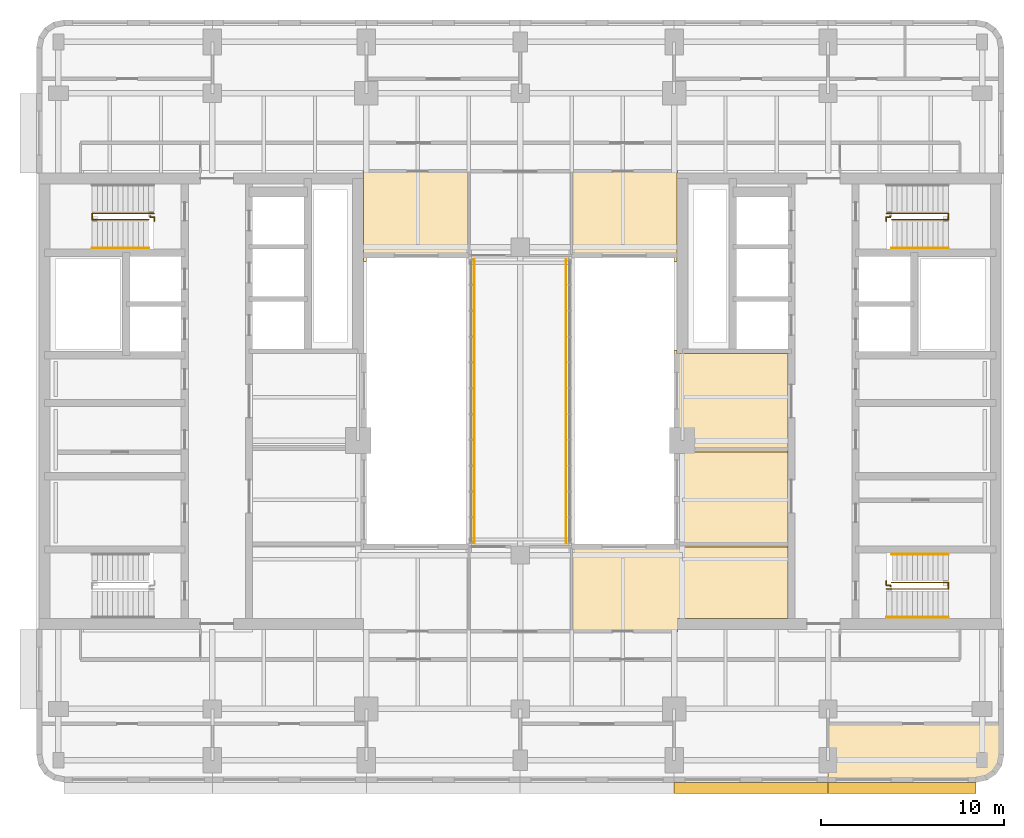
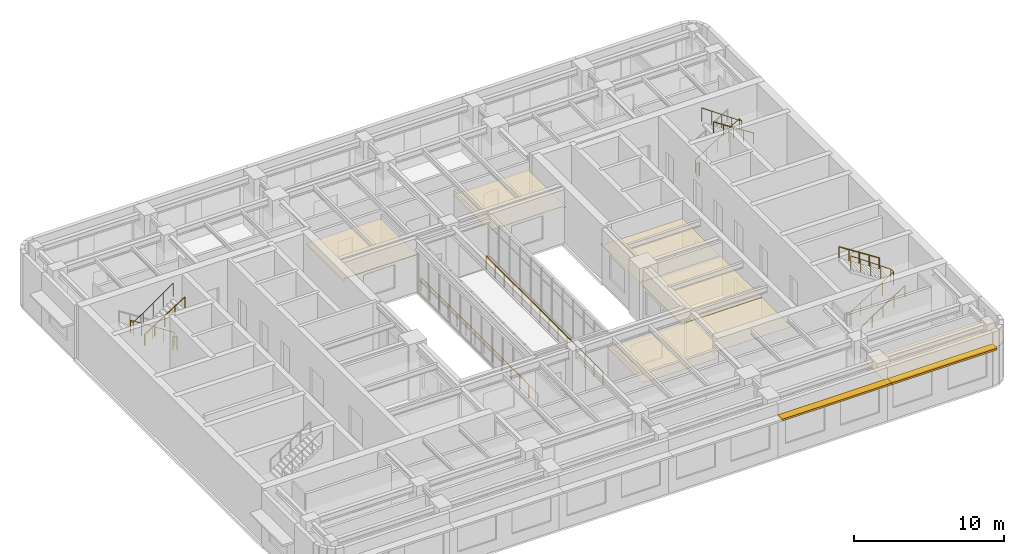
# One storey, part 13 of 14: 12 railings, 6 coverings, 2 shading devices.
"""IFC4 building model written with IfcOpenShell, lengths in metres."""

from ifc_helpers import new_model, si_unit, direction, frame, origin, origin_2d, place, context, subcontext, project, spatial, polyline, rectangle, circle, outline, extrude, material, layer, layer_set, type_object, element, save


model = new_model("IFC4")

# Units and contexts
model_context = context("Model", 3, precision=1e-05, world=origin(), true_north=direction((0.0, 1.0)))
body_context = subcontext(model_context, "Body", "Model", "MODEL_VIEW")
ifc_project = project(units=[si_unit("LENGTHUNIT", "METRE"), si_unit("AREAUNIT", "SQUARE_METRE"), si_unit("VOLUMEUNIT", "CUBIC_METRE"), si_unit("PLANEANGLEUNIT", "RADIAN"), si_unit("MASSUNIT", "GRAM", prefix="KILO")], contexts=[model_context])

# Site, building, storey
site_placement = place(None, origin())
site = spatial("IfcSite", under=ifc_project, at=site_placement, CompositionType="ELEMENT")
building_placement = place(site_placement, origin())
building = spatial("IfcBuilding", under=site, at=building_placement, Name="Claustro Exchange Tower", CompositionType="ELEMENT")
storey_placement = place(building_placement, frame((0.0, 0.0, 250.199951171875)))
storey = spatial("IfcBuildingStorey", under=building, at=storey_placement, Name="L57", CompositionType="ELEMENT", Elevation=250.199951171875)

# Coverings
ifc_material_1 = material(Name="Gypsum board ceiling", Category="gypsum board")
ifc_layer_1 = layer(ifc_material_1, 0.02490234375)
ifc_layer_set_1 = layer_set([ifc_layer_1], Name="Gypsum board ceiling")
covering_type_1 = type_object("IfcCoveringType", Name="CL2 plasterboard ceiling", PredefinedType="CEILING", material=ifc_layer_set_1)
covering_1_placement = place(storey_placement, frame((0.0, 0.0, 3.0)))
element("IfcCovering", 1, at=covering_1_placement, inside=storey, type_object=covering_type_1, Name="Ceiling CL2 L57-11", PredefinedType="CEILING", context=body_context, shape_type="SweptSolid", body=[
    extrude(outline(polyline([(39.800048828125, 13.330078125), (39.800048828125, 17.570068359375), (33.60009765625, 17.570068359375), (33.60009765625, 17.39990234375), (28.0, 17.39990234375), (28.0, 12.60009765625), (33.77001953125, 12.60009765625), (33.77001953125, 13.330078125), (39.800048828125, 13.330078125)])), origin(), (0.0, 0.0, 1.0), 0.025146484375),
])
covering_2_placement = place(storey_placement, frame((0.0, 0.0, 3.0)))
element("IfcCovering", 2, at=covering_2_placement, inside=storey, type_object=covering_type_1, Name="Ceiling CL2 L57-16", PredefinedType="CEILING", context=body_context, shape_type="SweptSolid", body=[
    extrude(outline(polyline([(33.60009765625, 27.969970703125), (33.60009765625, 22.429931640625), (39.800048828125, 22.429931640625), (39.800048828125, 27.800048828125), (33.75, 27.800048828125), (33.75, 27.969970703125), (33.60009765625, 27.969970703125)])), origin(), (0.0, 0.0, 1.0), 0.025146484375),
])
covering_3_placement = place(storey_placement, frame((0.0, 0.0, 3.0)))
element("IfcCovering", 3, at=covering_3_placement, inside=storey, type_object=covering_type_1, Name="Ceiling CL2 L57-19", PredefinedType="CEILING", context=body_context, shape_type="SweptSolid", body=[
    extrude(outline(polyline([(33.60009765625, 33.0), (33.60009765625, 32.830078125), (33.75, 32.830078125), (33.75, 37.64990234375), (33.77001953125, 37.64990234375), (33.77001953125, 37.800048828125), (28.0, 37.800048828125), (28.0, 33.0), (33.60009765625, 33.0)])), origin(), (0.0, 0.0, 1.0), 0.025146484375),
])
ifc_material_2 = material(Name="Oak slats on acoustic backing", Category="wood")
ifc_layer_2 = layer(ifc_material_2, 0.050048828125)
ifc_layer_set_2 = layer_set([ifc_layer_2], Name="Oak slats on acoustic backing")
covering_type_2 = type_object("IfcCoveringType", Name="CL3 timber slat ceiling", PredefinedType="CEILING", material=ifc_layer_set_2)
covering_4_placement = place(storey_placement, frame((0.0, 0.0, 3.0)))
element("IfcCovering", 4, at=covering_4_placement, inside=storey, type_object=covering_type_2, Name="Ceiling CL3 L57-04", PredefinedType="CEILING", context=body_context, shape_type="SweptSolid", body=[
    extrude(outline(polyline([(51.60009765625, 5.89990234375), (51.60009765625, 7.60009765625), (42.0, 7.60009765625), (42.0, 4.39990234375), (50.10009765625, 4.39990234375), (50.674072265625, 4.51416015625), (51.16064453125, 4.83935546875), (51.48583984375, 5.325927734375), (51.60009765625, 5.89990234375)])), origin(), (0.0, 0.0, 1.0), 0.050048828125),
])
covering_5_placement = place(storey_placement, frame((0.0, 0.0, 3.0)))
element("IfcCovering", 5, at=covering_5_placement, inside=storey, type_object=covering_type_2, Name="Ceiling CL3 L57-13", PredefinedType="CEILING", context=body_context, shape_type="SweptSolid", body=[
    extrude(outline(polyline([(33.60009765625, 22.77001953125), (33.60009765625, 17.22998046875), (39.800048828125, 17.22998046875), (39.800048828125, 22.77001953125), (33.60009765625, 22.77001953125)])), origin(), (0.0, 0.0, 1.0), 0.050048828125),
])
covering_6_placement = place(storey_placement, frame((0.0, 0.0, 3.0)))
element("IfcCovering", 6, at=covering_6_placement, inside=storey, type_object=covering_type_2, Name="Ceiling CL3 L57-17", PredefinedType="CEILING", context=body_context, shape_type="SweptSolid", body=[
    extrude(outline(polyline([(22.39990234375, 37.800048828125), (16.6298828125, 37.800048828125), (16.6298828125, 37.64990234375), (16.64990234375, 37.64990234375), (16.64990234375, 32.830078125), (16.800048828125, 32.830078125), (16.800048828125, 33.0), (22.39990234375, 33.0), (22.39990234375, 37.800048828125)])), origin(), (0.0, 0.0, 1.0), 0.050048828125),
])

# Railings
ifc_material_3 = material(Name="Laminated glass, stainless steel rail", Category="steel")
railing_type_1 = type_object("IfcRailingType", Name="GR1 1100 glass balustrade guard", PredefinedType="BALUSTRADE", material=ifc_material_3)
railing_1_placement = place(storey_placement, frame((22.699951171875, 17.449951171875, 0.0)))
element("IfcRailing", 7, at=railing_1_placement, inside=storey, type_object=railing_type_1, Name="Sky bridge guard GR1 L57", PredefinedType="BALUSTRADE", context=body_context, shape_type="SweptSolid", body=[
    extrude(circle(Radius=0.02392578125, at=origin_2d()), frame((0.0, 0.0, 1.076171875), z_axis=(0.0, 1.0, 0.0), x_axis=(-1.0, 0.0, 0.0)), (0.0, 0.0, 1.0), 15.5),
    extrude(circle(Radius=0.02099609375, at=origin_2d()), origin(), (0.0, 0.0, 1.0), 1.052001953125),
    extrude(circle(Radius=0.02099609375, at=origin_2d()), frame((0.0, 1.1923828125, 0.0)), (0.0, 0.0, 1.0), 1.052001953125),
    extrude(circle(Radius=0.02099609375, at=origin_2d()), frame((0.0, 2.384521484375, 0.0)), (0.0, 0.0, 1.0), 1.052001953125),
    extrude(circle(Radius=0.02099609375, at=origin_2d()), frame((0.0, 3.576904296875, 0.0)), (0.0, 0.0, 1.0), 1.052001953125),
    extrude(circle(Radius=0.02099609375, at=origin_2d()), frame((0.0, 4.769287109375, 0.0)), (0.0, 0.0, 1.0), 1.052001953125),
    extrude(circle(Radius=0.02099609375, at=origin_2d()), frame((0.0, 5.96142578125, 0.0)), (0.0, 0.0, 1.0), 1.052001953125),
    extrude(circle(Radius=0.02099609375, at=origin_2d()), frame((0.0, 7.15380859375, 0.0)), (0.0, 0.0, 1.0), 1.052001953125),
    extrude(circle(Radius=0.02099609375, at=origin_2d()), frame((0.0, 8.34619140625, 0.0)), (0.0, 0.0, 1.0), 1.052001953125),
    extrude(circle(Radius=0.02099609375, at=origin_2d()), frame((0.0, 9.53857421875, 0.0)), (0.0, 0.0, 1.0), 1.052001953125),
    extrude(circle(Radius=0.02099609375, at=origin_2d()), frame((0.0, 10.730712890625, 0.0)), (0.0, 0.0, 1.0), 1.052001953125),
    extrude(circle(Radius=0.02099609375, at=origin_2d()), frame((0.0, 11.923095703125, 0.0)), (0.0, 0.0, 1.0), 1.052001953125),
    extrude(circle(Radius=0.02099609375, at=origin_2d()), frame((0.0, 13.115478515625, 0.0)), (0.0, 0.0, 1.0), 1.052001953125),
    extrude(circle(Radius=0.02099609375, at=origin_2d()), frame((0.0, 14.3076171875, 0.0)), (0.0, 0.0, 1.0), 1.052001953125),
    extrude(circle(Radius=0.02099609375, at=origin_2d()), frame((0.0, 15.5, 0.0)), (0.0, 0.0, 1.0), 1.052001953125),
])
railing_2_placement = place(storey_placement, frame((27.699951171875, 17.449951171875, 0.0)))
element("IfcRailing", 8, at=railing_2_placement, inside=storey, type_object=railing_type_1, Name="Sky bridge guard GR1 L57", PredefinedType="BALUSTRADE", context=body_context, shape_type="SweptSolid", body=[
    extrude(circle(Radius=0.02392578125, at=origin_2d()), frame((0.0, 0.0, 1.076171875), z_axis=(0.0, 1.0, 0.0), x_axis=(-1.0, 0.0, 0.0)), (0.0, 0.0, 1.0), 15.5),
    extrude(circle(Radius=0.02099609375, at=origin_2d()), origin(), (0.0, 0.0, 1.0), 1.052001953125),
    extrude(circle(Radius=0.02099609375, at=origin_2d()), frame((0.0, 1.1923828125, 0.0)), (0.0, 0.0, 1.0), 1.052001953125),
    extrude(circle(Radius=0.02099609375, at=origin_2d()), frame((0.0, 2.384521484375, 0.0)), (0.0, 0.0, 1.0), 1.052001953125),
    extrude(circle(Radius=0.02099609375, at=origin_2d()), frame((0.0, 3.576904296875, 0.0)), (0.0, 0.0, 1.0), 1.052001953125),
    extrude(circle(Radius=0.02099609375, at=origin_2d()), frame((0.0, 4.769287109375, 0.0)), (0.0, 0.0, 1.0), 1.052001953125),
    extrude(circle(Radius=0.02099609375, at=origin_2d()), frame((0.0, 5.96142578125, 0.0)), (0.0, 0.0, 1.0), 1.052001953125),
    extrude(circle(Radius=0.02099609375, at=origin_2d()), frame((0.0, 7.15380859375, 0.0)), (0.0, 0.0, 1.0), 1.052001953125),
    extrude(circle(Radius=0.02099609375, at=origin_2d()), frame((0.0, 8.34619140625, 0.0)), (0.0, 0.0, 1.0), 1.052001953125),
    extrude(circle(Radius=0.02099609375, at=origin_2d()), frame((0.0, 9.53857421875, 0.0)), (0.0, 0.0, 1.0), 1.052001953125),
    extrude(circle(Radius=0.02099609375, at=origin_2d()), frame((0.0, 10.730712890625, 0.0)), (0.0, 0.0, 1.0), 1.052001953125),
    extrude(circle(Radius=0.02099609375, at=origin_2d()), frame((0.0, 11.923095703125, 0.0)), (0.0, 0.0, 1.0), 1.052001953125),
    extrude(circle(Radius=0.02099609375, at=origin_2d()), frame((0.0, 13.115478515625, 0.0)), (0.0, 0.0, 1.0), 1.052001953125),
    extrude(circle(Radius=0.02099609375, at=origin_2d()), frame((0.0, 14.3076171875, 0.0)), (0.0, 0.0, 1.0), 1.052001953125),
    extrude(circle(Radius=0.02099609375, at=origin_2d()), frame((0.0, 15.5, 0.0)), (0.0, 0.0, 1.0), 1.052001953125),
])
ifc_material_4 = material(Name="Steel balustrade, painted", Category="steel")
railing_type_2 = type_object("IfcRailingType", Name="GR2 1100 steel stair guard", PredefinedType="GUARDRAIL", material=ifc_material_4)
railing_3_placement = place(storey_placement, frame((5.199951171875, 35.449951171875, 0.179931640625)))
element("IfcRailing", 9, at=railing_3_placement, inside=storey, type_object=railing_type_2, Name="Stair well guard GR2 stair STWB L57", PredefinedType="GUARDRAIL", context=body_context, shape_type="SweptSolid", body=[
    extrude(circle(Radius=0.02392578125, at=origin_2d()), frame((0.0, 0.0, 1.076171875), z_axis=(-0.841150671818, 0.0, 0.540800838849), x_axis=(0.0, -1.0, 0.0)), (0.0, 0.0, 1.0), 3.994384765625),
    extrude(circle(Radius=0.02392578125, at=origin_2d()), frame((-3.35986328125, 0.0, 3.236328125), z_axis=(0.0, -1.0, 0.0), x_axis=(1.0, 0.0, 0.0)), (0.0, 0.0, 1.0), 0.349853515625),
    extrude(circle(Radius=0.02392578125, at=origin_2d()), frame((-3.35986328125, -0.349853515625, 3.236328125), z_axis=(0.818728512145, 0.0, 0.574180828137), x_axis=(0.0, 1.0, 0.0)), (0.0, 0.0, 1.0), 3.76171875),
    extrude(circle(Radius=0.02099609375, at=origin_2d()), origin(), (0.0, 0.0, 1.0), 1.052001953125),
    extrude(circle(Radius=0.02099609375, at=origin_2d()), frame((-0.83984375, 0.0, 0.5400390625)), (0.0, 0.0, 1.0), 1.052001953125),
    extrude(circle(Radius=0.02099609375, at=origin_2d()), frame((-1.679931640625, 0.0, 1.080078125)), (0.0, 0.0, 1.0), 1.052001953125),
    extrude(circle(Radius=0.02099609375, at=origin_2d()), frame((-2.52001953125, 0.0, 1.6201171875)), (0.0, 0.0, 1.0), 1.052001953125),
    extrude(circle(Radius=0.02099609375, at=origin_2d()), frame((-3.35986328125, 0.0, 2.16015625)), (0.0, 0.0, 1.0), 1.052001953125),
    extrude(circle(Radius=0.02099609375, at=origin_2d()), frame((-3.35986328125, -0.349853515625, 2.16015625)), (0.0, 0.0, 1.0), 1.052001953125),
    extrude(circle(Radius=0.02099609375, at=origin_2d()), frame((-2.58984375, -0.349853515625, 2.7001953125)), (0.0, 0.0, 1.0), 1.052001953125),
    extrude(circle(Radius=0.02099609375, at=origin_2d()), frame((-1.81982421875, -0.349853515625, 3.240234375)), (0.0, 0.0, 1.0), 1.052001953125),
    extrude(circle(Radius=0.02099609375, at=origin_2d()), frame((-1.050048828125, -0.349853515625, 3.780029296875)), (0.0, 0.0, 1.0), 1.052001953125),
    extrude(circle(Radius=0.02099609375, at=origin_2d()), frame((-0.280029296875, -0.349853515625, 4.320068359375)), (0.0, 0.0, 1.0), 1.052001953125),
])
railing_4_placement = place(storey_placement, frame((5.0, 35.304931640625, 0.0)))
element("IfcRailing", 10, at=railing_4_placement, inside=storey, type_object=railing_type_2, Name="Stair guard GR2 STWB L57", PredefinedType="GUARDRAIL", context=body_context, shape_type="SweptSolid", body=[
    extrude(circle(Radius=0.02392578125, at=origin_2d()), frame((0.0, 0.0, 1.076171875), z_axis=(0.0, -1.0, 0.0), x_axis=(1.0, 0.0, 0.0)), (0.0, 0.0, 1.0), 0.0673828125),
    extrude(circle(Radius=0.02392578125, at=origin_2d()), frame((0.0, -0.0673828125, 1.076171875), z_axis=(1.0, 0.0, 0.0), x_axis=(0.0, 1.0, 0.0)), (0.0, 0.0, 1.0), 0.22509765625),
    extrude(circle(Radius=0.02392578125, at=origin_2d()), frame((0.22509765625, -0.0673828125, 1.076171875), z_axis=(0.0, -1.0, 0.0), x_axis=(1.0, 0.0, 0.0)), (0.0, 0.0, 1.0), 0.217529296875),
    extrude(circle(Radius=0.02099609375, at=origin_2d()), origin(), (0.0, 0.0, 1.0), 1.052001953125),
    extrude(circle(Radius=0.02099609375, at=origin_2d()), frame((0.0, -0.0673828125, 0.0)), (0.0, 0.0, 1.0), 1.052001953125),
    extrude(circle(Radius=0.02099609375, at=origin_2d()), frame((0.22509765625, -0.0673828125, 0.0)), (0.0, 0.0, 1.0), 1.052001953125),
    extrude(circle(Radius=0.02099609375, at=origin_2d()), frame((0.22509765625, -0.284912109375, 0.0)), (0.0, 0.0, 1.0), 1.052001953125),
])
railing_5_placement = place(storey_placement, frame((45.199951171875, 14.949951171875, 0.179931640625)))
element("IfcRailing", 11, at=railing_5_placement, inside=storey, type_object=railing_type_2, Name="Stair well guard GR2 stair STEA L57", PredefinedType="GUARDRAIL", context=body_context, shape_type="SweptSolid", body=[
    extrude(circle(Radius=0.02392578125, at=origin_2d()), frame((0.0, 0.0, 1.076171875), z_axis=(0.8411685463, 0.0, 0.540773036232), x_axis=(0.0, 1.0, 0.0)), (0.0, 0.0, 1.0), 3.99462890625),
    extrude(circle(Radius=0.02392578125, at=origin_2d()), frame((3.360107421875, 0.0, 3.236328125), z_axis=(0.0, 1.0, 0.0), x_axis=(-1.0, 0.0, 0.0)), (0.0, 0.0, 1.0), 0.35009765625),
    extrude(circle(Radius=0.02392578125, at=origin_2d()), frame((3.360107421875, 0.35009765625, 3.236328125), z_axis=(-0.8187499073, 0.0, 0.574150319426), x_axis=(0.0, -1.0, 0.0)), (0.0, 0.0, 1.0), 3.761962890625),
    extrude(circle(Radius=0.02099609375, at=origin_2d()), origin(), (0.0, 0.0, 1.0), 1.052001953125),
    extrude(circle(Radius=0.02099609375, at=origin_2d()), frame((0.840087890625, 0.0, 0.5400390625)), (0.0, 0.0, 1.0), 1.052001953125),
    extrude(circle(Radius=0.02099609375, at=origin_2d()), frame((1.68017578125, 0.0, 1.080078125)), (0.0, 0.0, 1.0), 1.052001953125),
    extrude(circle(Radius=0.02099609375, at=origin_2d()), frame((2.52001953125, 0.0, 1.6201171875)), (0.0, 0.0, 1.0), 1.052001953125),
    extrude(circle(Radius=0.02099609375, at=origin_2d()), frame((3.360107421875, 0.0, 2.16015625)), (0.0, 0.0, 1.0), 1.052001953125),
    extrude(circle(Radius=0.02099609375, at=origin_2d()), frame((3.360107421875, 0.35009765625, 2.16015625)), (0.0, 0.0, 1.0), 1.052001953125),
    extrude(circle(Radius=0.02099609375, at=origin_2d()), frame((2.590087890625, 0.35009765625, 2.7001953125)), (0.0, 0.0, 1.0), 1.052001953125),
    extrude(circle(Radius=0.02099609375, at=origin_2d()), frame((1.820068359375, 0.35009765625, 3.240234375)), (0.0, 0.0, 1.0), 1.052001953125),
    extrude(circle(Radius=0.02099609375, at=origin_2d()), frame((1.050048828125, 0.35009765625, 3.780029296875)), (0.0, 0.0, 1.0), 1.052001953125),
    extrude(circle(Radius=0.02099609375, at=origin_2d()), frame((0.280029296875, 0.35009765625, 4.320068359375)), (0.0, 0.0, 1.0), 1.052001953125),
])
railing_6_placement = place(storey_placement, frame((45.39990234375, 15.094970703125, 0.0)))
element("IfcRailing", 12, at=railing_6_placement, inside=storey, type_object=railing_type_2, Name="Stair guard GR2 STEA L57", PredefinedType="GUARDRAIL", context=body_context, shape_type="SweptSolid", body=[
    extrude(circle(Radius=0.02392578125, at=origin_2d()), frame((0.0, 0.0, 1.076171875), z_axis=(0.0, 1.0, 0.0), x_axis=(-1.0, 0.0, 0.0)), (0.0, 0.0, 1.0), 0.067626953125),
    extrude(circle(Radius=0.02392578125, at=origin_2d()), frame((0.0, 0.067626953125, 1.076171875), z_axis=(-1.0, 0.0, 0.0), x_axis=(0.0, -1.0, 0.0)), (0.0, 0.0, 1.0), 0.224853515625),
    extrude(circle(Radius=0.02392578125, at=origin_2d()), frame((-0.224853515625, 0.067626953125, 1.076171875), z_axis=(0.0, 1.0, 0.0), x_axis=(-1.0, 0.0, 0.0)), (0.0, 0.0, 1.0), 0.21728515625),
    extrude(circle(Radius=0.02099609375, at=origin_2d()), origin(), (0.0, 0.0, 1.0), 1.052001953125),
    extrude(circle(Radius=0.02099609375, at=origin_2d()), frame((0.0, 0.067626953125, 0.0)), (0.0, 0.0, 1.0), 1.052001953125),
    extrude(circle(Radius=0.02099609375, at=origin_2d()), frame((-0.224853515625, 0.067626953125, 0.0)), (0.0, 0.0, 1.0), 1.052001953125),
    extrude(circle(Radius=0.02099609375, at=origin_2d()), frame((-0.224853515625, 0.284912109375, 0.0)), (0.0, 0.0, 1.0), 1.052001953125),
])
railing_7_placement = place(storey_placement, frame((45.199951171875, 35.449951171875, 0.179931640625)))
element("IfcRailing", 13, at=railing_7_placement, inside=storey, type_object=railing_type_2, Name="Stair well guard GR2 stair STEB L57", PredefinedType="GUARDRAIL", context=body_context, shape_type="SweptSolid", body=[
    extrude(circle(Radius=0.02392578125, at=origin_2d()), frame((0.0, 0.0, 1.076171875), z_axis=(0.8411685463, 0.0, 0.540773036232), x_axis=(0.0, 1.0, 0.0)), (0.0, 0.0, 1.0), 3.99462890625),
    extrude(circle(Radius=0.02392578125, at=origin_2d()), frame((3.360107421875, 0.0, 3.236328125), z_axis=(0.0, -1.0, 0.0), x_axis=(1.0, 0.0, 0.0)), (0.0, 0.0, 1.0), 0.349853515625),
    extrude(circle(Radius=0.02392578125, at=origin_2d()), frame((3.360107421875, -0.349853515625, 3.236328125), z_axis=(-0.8187499073, 0.0, 0.574150319426), x_axis=(0.0, -1.0, 0.0)), (0.0, 0.0, 1.0), 3.761962890625),
    extrude(circle(Radius=0.02099609375, at=origin_2d()), origin(), (0.0, 0.0, 1.0), 1.052001953125),
    extrude(circle(Radius=0.02099609375, at=origin_2d()), frame((0.840087890625, 0.0, 0.5400390625)), (0.0, 0.0, 1.0), 1.052001953125),
    extrude(circle(Radius=0.02099609375, at=origin_2d()), frame((1.68017578125, 0.0, 1.080078125)), (0.0, 0.0, 1.0), 1.052001953125),
    extrude(circle(Radius=0.02099609375, at=origin_2d()), frame((2.52001953125, 0.0, 1.6201171875)), (0.0, 0.0, 1.0), 1.052001953125),
    extrude(circle(Radius=0.02099609375, at=origin_2d()), frame((3.360107421875, 0.0, 2.16015625)), (0.0, 0.0, 1.0), 1.052001953125),
    extrude(circle(Radius=0.02099609375, at=origin_2d()), frame((3.360107421875, -0.349853515625, 2.16015625)), (0.0, 0.0, 1.0), 1.052001953125),
    extrude(circle(Radius=0.02099609375, at=origin_2d()), frame((2.590087890625, -0.349853515625, 2.7001953125)), (0.0, 0.0, 1.0), 1.052001953125),
    extrude(circle(Radius=0.02099609375, at=origin_2d()), frame((1.820068359375, -0.349853515625, 3.240234375)), (0.0, 0.0, 1.0), 1.052001953125),
    extrude(circle(Radius=0.02099609375, at=origin_2d()), frame((1.050048828125, -0.349853515625, 3.780029296875)), (0.0, 0.0, 1.0), 1.052001953125),
    extrude(circle(Radius=0.02099609375, at=origin_2d()), frame((0.280029296875, -0.349853515625, 4.320068359375)), (0.0, 0.0, 1.0), 1.052001953125),
])
railing_8_placement = place(storey_placement, frame((45.39990234375, 35.304931640625, 0.0)))
element("IfcRailing", 14, at=railing_8_placement, inside=storey, type_object=railing_type_2, Name="Stair guard GR2 STEB L57", PredefinedType="GUARDRAIL", context=body_context, shape_type="SweptSolid", body=[
    extrude(circle(Radius=0.02392578125, at=origin_2d()), frame((0.0, 0.0, 1.076171875), z_axis=(0.0, -1.0, 0.0), x_axis=(1.0, 0.0, 0.0)), (0.0, 0.0, 1.0), 0.0673828125),
    extrude(circle(Radius=0.02392578125, at=origin_2d()), frame((0.0, -0.0673828125, 1.076171875), z_axis=(-1.0, 0.0, 0.0), x_axis=(0.0, -1.0, 0.0)), (0.0, 0.0, 1.0), 0.224853515625),
    extrude(circle(Radius=0.02392578125, at=origin_2d()), frame((-0.224853515625, -0.0673828125, 1.076171875), z_axis=(0.0, -1.0, 0.0), x_axis=(1.0, 0.0, 0.0)), (0.0, 0.0, 1.0), 0.217529296875),
    extrude(circle(Radius=0.02099609375, at=origin_2d()), origin(), (0.0, 0.0, 1.0), 1.052001953125),
    extrude(circle(Radius=0.02099609375, at=origin_2d()), frame((0.0, -0.0673828125, 0.0)), (0.0, 0.0, 1.0), 1.052001953125),
    extrude(circle(Radius=0.02099609375, at=origin_2d()), frame((-0.224853515625, -0.0673828125, 0.0)), (0.0, 0.0, 1.0), 1.052001953125),
    extrude(circle(Radius=0.02099609375, at=origin_2d()), frame((-0.224853515625, -0.284912109375, 0.0)), (0.0, 0.0, 1.0), 1.052001953125),
])
ifc_material_5 = material(Name="Stainless steel tube", Category="steel")
railing_type_3 = type_object("IfcRailingType", Name="HR1 900 stair handrail", PredefinedType="HANDRAIL", material=ifc_material_5)
railing_9_placement = place(storey_placement, frame((1.840087890625, 33.56005859375, 2.52001953125)))
element("IfcRailing", 15, at=railing_9_placement, inside=storey, type_object=railing_type_3, Name="Handrail HR1 stair STWB L57", PredefinedType="HANDRAIL", context=body_context, shape_type="SweptSolid", body=[
    extrude(circle(Radius=0.02392578125, at=origin_2d()), frame((0.0, 0.0, 0.8759765625), z_axis=(0.841167642724, 0.0, 0.540774441735), x_axis=(0.0, 1.0, 0.0)), (0.0, 0.0, 1.0), 3.661376953125),
    extrude(circle(Radius=0.02099609375, at=origin_2d()), origin(), (0.0, 0.0, 1.0), 0.851806640625),
    extrude(circle(Radius=0.02099609375, at=origin_2d()), frame((0.77001953125, 0.0, 0.4951171875)), (0.0, 0.0, 1.0), 0.851806640625),
    extrude(circle(Radius=0.02099609375, at=origin_2d()), frame((1.5400390625, 0.0, 0.989990234375)), (0.0, 0.0, 1.0), 0.851806640625),
    extrude(circle(Radius=0.02099609375, at=origin_2d()), frame((2.309814453125, 0.0, 1.48486328125)), (0.0, 0.0, 1.0), 0.851806640625),
    extrude(circle(Radius=0.02099609375, at=origin_2d()), frame((3.079833984375, 0.0, 1.97998046875)), (0.0, 0.0, 1.0), 0.851806640625),
])
railing_10_placement = place(storey_placement, frame((45.199951171875, 13.409912109375, 0.179931640625)))
element("IfcRailing", 16, at=railing_10_placement, inside=storey, type_object=railing_type_3, Name="Handrail HR1 stair STEA L57", PredefinedType="HANDRAIL", context=body_context, shape_type="SweptSolid", body=[
    extrude(circle(Radius=0.02392578125, at=origin_2d()), frame((0.0, 0.0, 0.8759765625), z_axis=(0.8411685463, 0.0, 0.540773036232), x_axis=(0.0, 1.0, 0.0)), (0.0, 0.0, 1.0), 3.99462890625),
    extrude(circle(Radius=0.02099609375, at=origin_2d()), origin(), (0.0, 0.0, 1.0), 0.851806640625),
    extrude(circle(Radius=0.02099609375, at=origin_2d()), frame((0.840087890625, 0.0, 0.5400390625)), (0.0, 0.0, 1.0), 0.851806640625),
    extrude(circle(Radius=0.02099609375, at=origin_2d()), frame((1.68017578125, 0.0, 1.080078125)), (0.0, 0.0, 1.0), 0.851806640625),
    extrude(circle(Radius=0.02099609375, at=origin_2d()), frame((2.52001953125, 0.0, 1.6201171875)), (0.0, 0.0, 1.0), 0.851806640625),
    extrude(circle(Radius=0.02099609375, at=origin_2d()), frame((3.360107421875, 0.0, 2.16015625)), (0.0, 0.0, 1.0), 0.851806640625),
])
for number, where, name in (
    (17, (48.56005859375, 16.840087890625, 2.52001953125), "Handrail HR1 stair STEA L57"),
    (18, (48.56005859375, 33.56005859375, 2.52001953125), "Handrail HR1 stair STEB L57"),
):
    element("IfcRailing", number, at=place(storey_placement, frame(where)), inside=storey, type_object=railing_type_3, Name=name, PredefinedType="HANDRAIL", context=body_context, shape_type="SweptSolid", body=[
        extrude(circle(Radius=0.02392578125, at=origin_2d()), frame((0.0, 0.0, 0.8759765625), z_axis=(-0.84118714077, 0.0, 0.540744111576), x_axis=(0.0, -1.0, 0.0)), (0.0, 0.0, 1.0), 3.66162109375),
        extrude(circle(Radius=0.02099609375, at=origin_2d()), origin(), (0.0, 0.0, 1.0), 0.851806640625),
        extrude(circle(Radius=0.02099609375, at=origin_2d()), frame((-0.77001953125, 0.0, 0.4951171875)), (0.0, 0.0, 1.0), 0.851806640625),
        extrude(circle(Radius=0.02099609375, at=origin_2d()), frame((-1.5400390625, 0.0, 0.989990234375)), (0.0, 0.0, 1.0), 0.851806640625),
        extrude(circle(Radius=0.02099609375, at=origin_2d()), frame((-2.31005859375, 0.0, 1.48486328125)), (0.0, 0.0, 1.0), 0.851806640625),
        extrude(circle(Radius=0.02099609375, at=origin_2d()), frame((-3.080078125, 0.0, 1.97998046875)), (0.0, 0.0, 1.0), 0.851806640625),
    ])

# Shading devices
ifc_material_6 = material(Name="Concrete HA-40 (C40/50), precast, white cement, acid-etched", Category="concrete")
ifc_layer_3 = layer(ifc_material_6, 0.14990234375)
ifc_layer_set_3 = layer_set([ifc_layer_3], Name="Concrete HA-40 (C40/50), precast, white cement, acid-etched")
shading_device_type = type_object("IfcShadingDeviceType", Name="SS1 600 precast concrete SUNSHADE", PredefinedType="SHUTTER", material=ifc_layer_set_3)
shading_device_1_placement = place(storey_placement, frame((46.04248046875, 4.10009765625, 3.300048828125), z_axis=(0.0, 0.0, 1.0), x_axis=(-1.0, 0.0, 0.0)))
element("IfcShadingDevice", 19, at=shading_device_1_placement, inside=storey, type_object=shading_device_type, Name="Precast SUNSHADE SS1 L57", PredefinedType="SHUTTER", context=body_context, shape_type="SweptSolid", body=[
    extrude(rectangle(XDim=8.085205078125, YDim=0.60009765625, at=origin_2d()), origin(), (0.0, 0.0, 1.0), 0.14990234375),
])
shading_device_2_placement = place(storey_placement, frame((37.800048828125, 4.10009765625, 3.300048828125), z_axis=(0.0, 0.0, 1.0), x_axis=(-1.0, 0.0, 0.0)))
element("IfcShadingDevice", 20, at=shading_device_2_placement, inside=storey, type_object=shading_device_type, Name="Precast SUNSHADE SS1 L57", PredefinedType="SHUTTER", context=body_context, shape_type="SweptSolid", body=[
    extrude(rectangle(XDim=8.39990234375, YDim=0.60009765625, at=origin_2d()), origin(), (0.0, 0.0, 1.0), 0.14990234375),
])

save(model, "model.ifc")
